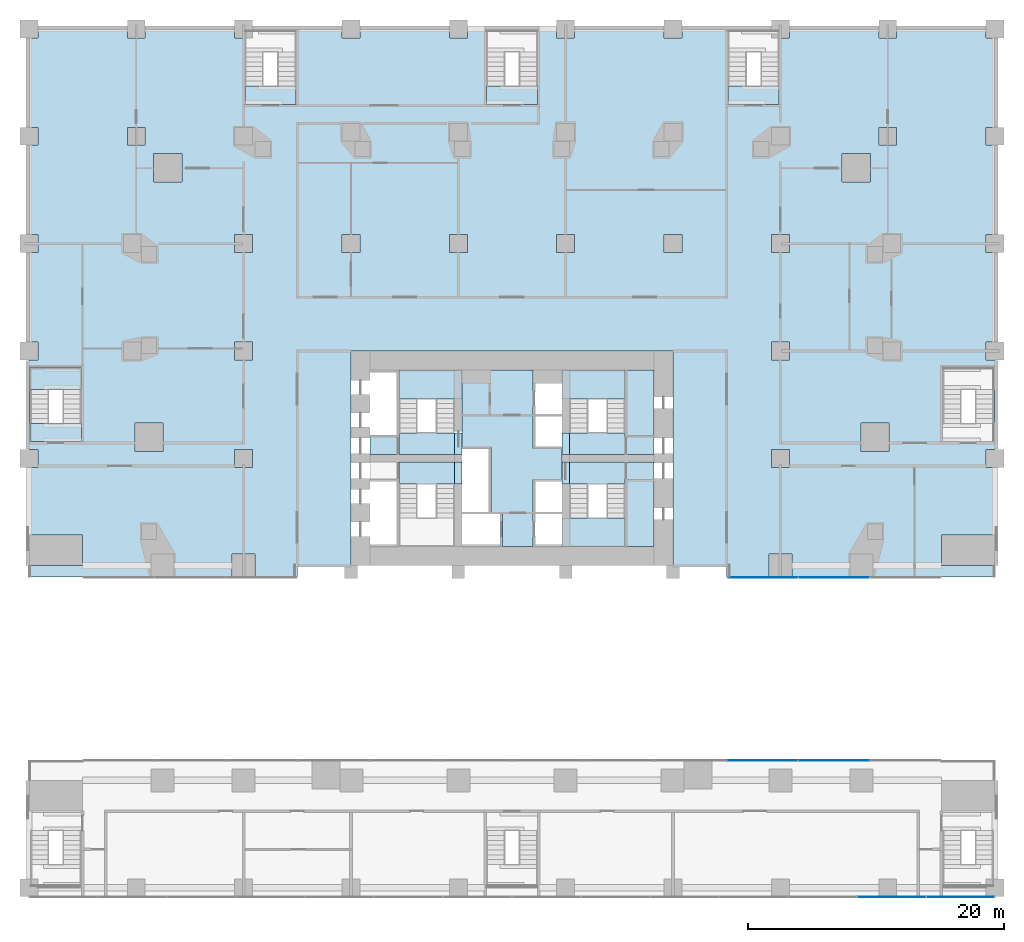
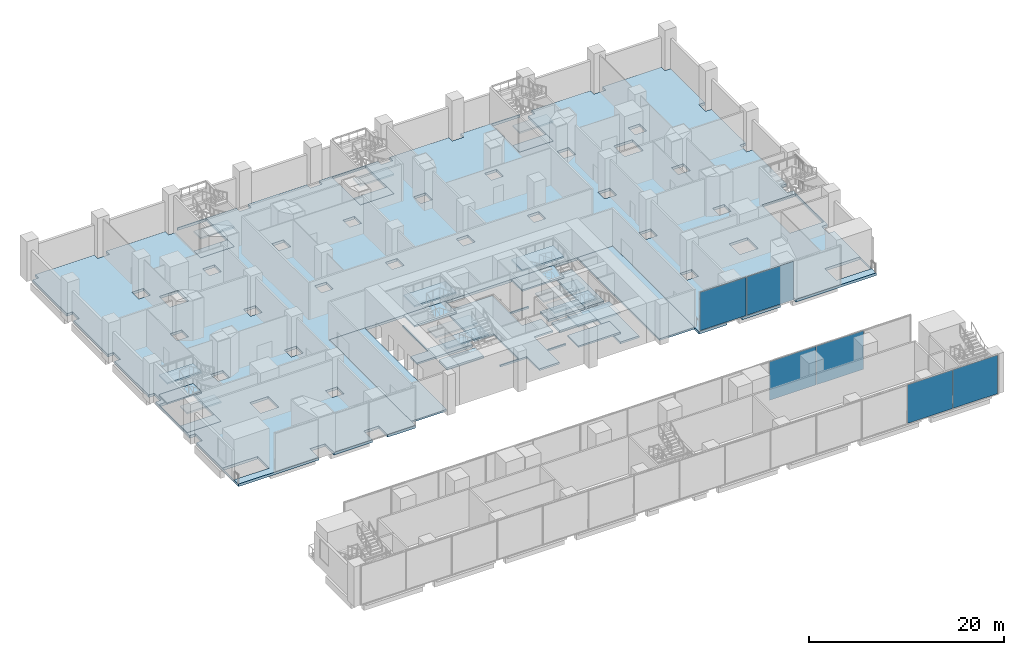
# One storey, part 9 of 24: 31 slabs, 6 plates, 11 elements without a shape of their own.
"""IFC4 building model written with IfcOpenShell, lengths in metres."""

from ifc_helpers import new_model, si_unit, direction, frame, origin, origin_2d, place, context, subcontext, project, spatial, polyline, rectangle, outline, extrude, material, layer, layer_set, type_object, element, aggregate, save


model = new_model("IFC4")

# Units and contexts
model_context = context("Model", 3, precision=1e-05, world=origin(), true_north=direction((0.0, 1.0)))
body_context = subcontext(model_context, "Body", "Model", "MODEL_VIEW")
ifc_project = project(units=[si_unit("LENGTHUNIT", "METRE"), si_unit("AREAUNIT", "SQUARE_METRE"), si_unit("VOLUMEUNIT", "CUBIC_METRE"), si_unit("PLANEANGLEUNIT", "RADIAN"), si_unit("MASSUNIT", "GRAM", prefix="KILO")], contexts=[model_context])

# Site, building, storey
site_placement = place(None, origin())
site = spatial("IfcSite", under=ifc_project, at=site_placement, CompositionType="ELEMENT")
building_placement = place(site_placement, origin())
building = spatial("IfcBuilding", under=site, at=building_placement, Name="Marenta Gate Hotel Tower", CompositionType="ELEMENT")
storey_placement = place(building_placement, frame((0.0, 0.0, 8.0)))
storey = spatial("IfcBuildingStorey", under=building, at=storey_placement, Name="L01", CompositionType="ELEMENT", Elevation=8.0)

# Slabs
ifc_material_1 = material(Name="Concrete C40", Category="concrete")
ifc_layer_1 = layer(ifc_material_1, 0.219970703125)
ifc_layer_set_1 = layer_set([ifc_layer_1], Name="Concrete C40")
slab_type_1 = type_object("IfcSlabType", Name="Core floor slab 220", PredefinedType="FLOOR", material=ifc_layer_set_1)
slab_1_placement = place(storey_placement, frame((0.0, 0.0, -0.219970703125)))
element("IfcSlab", 1, at=slab_1_placement, inside=storey, type_object=slab_type_1, Name="L01-CF-1", PredefinedType="FLOOR", context=body_context, shape_type="SweptSolid", body=[
    extrude(outline(polyline([(12.60009765625, 0.0), (12.60009765625, 16.800048828125), (16.800048828125, 16.800048828125), (16.800048828125, 0.0), (12.60009765625, 0.0)])), origin(), (0.0, 0.0, 1.0), 0.219970703125),
])
slab_2_placement = place(storey_placement, frame((0.0, 0.0, -0.219970703125)))
element("IfcSlab", 2, at=slab_2_placement, inside=storey, type_object=slab_type_1, Name="L01-CF-2", PredefinedType="FLOOR", context=body_context, shape_type="SweptSolid", body=[
    extrude(outline(polyline([(8.85009765625, 15.300048828125), (11.10009765625, 15.300048828125), (11.10009765625, 8.699951171875), (8.85009765625, 8.699951171875), (8.85009765625, 10.39990234375), (8.85009765625, 15.300048828125)])), origin(), (0.0, 0.0, 1.0), 0.219970703125),
])
slab_3_placement = place(storey_placement, frame((0.0, 0.0, -0.219970703125)))
element("IfcSlab", 3, at=slab_3_placement, inside=storey, type_object=slab_type_1, Name="L01-CF-3", PredefinedType="FLOOR", context=body_context, shape_type="SweptSolid", body=[
    extrude(outline(polyline([(11.10009765625, 8.10009765625), (11.10009765625, 1.5), (8.85009765625, 1.5), (8.85009765625, 6.39990234375), (8.85009765625, 8.10009765625), (11.10009765625, 8.10009765625)])), origin(), (0.0, 0.0, 1.0), 0.219970703125),
])
slab_4_placement = place(storey_placement, frame((0.0, 0.0, -0.219970703125)))
element("IfcSlab", 4, at=slab_4_placement, inside=storey, type_object=slab_type_1, Name="L01-CF-4", PredefinedType="FLOOR", context=body_context, shape_type="SweptSolid", body=[
    extrude(outline(polyline([(1.64990234375, 14.25), (1.64990234375, 11.85009765625), (1.800048828125, 11.85009765625), (3.89990234375, 11.85009765625), (3.89990234375, 11.699951171875), (1.800048828125, 11.699951171875), (1.64990234375, 11.699951171875), (1.64990234375, 9.300048828125), (1.64990234375, 9.14990234375), (3.89990234375, 9.14990234375), (3.89990234375, 9.300048828125), (3.89990234375, 10.39990234375), (3.89990234375, 10.39990234375), (3.89990234375, 6.39990234375), (3.89990234375, 6.39990234375), (3.89990234375, 6.60009765625), (3.89990234375, 6.75), (1.64990234375, 6.75), (1.64990234375, 6.60009765625), (1.64990234375, 4.199951171875), (1.800048828125, 4.199951171875), (3.89990234375, 4.199951171875), (3.89990234375, 4.050048828125), (1.800048828125, 4.050048828125), (1.64990234375, 4.050048828125), (1.64990234375, 1.64990234375), (1.64990234375, 1.5), (-0.75, 1.5), (-0.75, 4.050048828125), (-0.89990234375, 4.050048828125), (-3.89990234375, 4.050048828125), (-3.89990234375, 4.199951171875), (-1.800048828125, 4.199951171875), (-1.64990234375, 4.199951171875), (-1.64990234375, 9.14990234375), (-1.64990234375, 9.300048828125), (-3.89990234375, 9.300048828125), (-3.89990234375, 9.14990234375), (-3.89990234375, 6.75), (-3.89990234375, 6.60009765625), (-3.89990234375, 6.39990234375), (-3.89990234375, 6.39990234375), (-3.89990234375, 10.39990234375), (-3.89990234375, 10.39990234375), (-3.89990234375, 15.300048828125), (1.64990234375, 15.300048828125), (1.64990234375, 14.25)])), origin(), (0.0, 0.0, 1.0), 0.219970703125),
])
slab_5_placement = place(storey_placement, frame((0.0, 0.0, -0.219970703125)))
element("IfcSlab", 5, at=slab_5_placement, inside=storey, type_object=slab_type_1, Name="L01-CF-6", PredefinedType="FLOOR", context=body_context, shape_type="SweptSolid", body=[
    extrude(outline(polyline([(-8.85009765625, 10.39990234375), (-8.85009765625, 8.699951171875), (-11.10009765625, 8.699951171875), (-11.10009765625, 10.050048828125), (-9.0, 10.050048828125), (-9.0, 10.199951171875), (-9.0, 12.60009765625), (-9.0, 12.75), (-9.0, 15.14990234375), (-9.0, 15.300048828125), (-8.85009765625, 15.300048828125), (-8.85009765625, 10.39990234375)])), origin(), (0.0, 0.0, 1.0), 0.219970703125),
])
slab_6_placement = place(storey_placement, frame((0.0, 0.0, -0.219970703125)))
element("IfcSlab", 6, at=slab_6_placement, inside=storey, type_object=slab_type_1, Name="L01-CF-7", PredefinedType="FLOOR", context=body_context, shape_type="SweptSolid", body=[
    extrude(outline(polyline([(-12.60009765625, 16.800048828125), (-12.60009765625, 0.0), (-16.800048828125, 0.0), (-16.800048828125, 16.800048828125), (-12.60009765625, 16.800048828125)])), origin(), (0.0, 0.0, 1.0), 0.219970703125),
])

# Stair, slab
ifc_material_2 = material(Name="Concrete C40", Category="concrete")
stair_type_1 = type_object("IfcStairType", Name="Core exit stair 1430 wide", PredefinedType="HALF_TURN_STAIR", material=ifc_material_2)
stair_1_placement = place(storey_placement, origin())
stair_1 = element("IfcStair", 7, at=stair_1_placement, inside=storey, type_object=stair_type_1, Name="Exit stair 1", PredefinedType="HALF_TURN_STAIR")
ifc_material_3 = material(Name="Concrete C40", Category="concrete")
ifc_layer_2 = layer(ifc_material_3, 0.199951171875)
ifc_layer_set_2 = layer_set([ifc_layer_2], Name="Concrete C40")
slab_type_2 = type_object("IfcSlabType", Name="Core stair landing 200", PredefinedType="LANDING", material=ifc_layer_set_2)
slab_7_placement = place(storey_placement, frame((0.0, 0.0, 2.300048828125)))
slab_7 = element("IfcSlab", 8, at=slab_7_placement, type_object=slab_type_2, Name="SL-200 ST1 landing 2", PredefinedType="LANDING", context=body_context, shape_type="SweptSolid", body=[
    extrude(outline(polyline([(-8.85009765625, 6.39990234375), (-3.89990234375, 6.39990234375), (-3.89990234375, 8.10009765625), (-8.85009765625, 8.10009765625), (-8.85009765625, 6.39990234375)])), origin(), (0.0, 0.0, 1.0), 0.199951171875),
])
aggregate(stair_1, [slab_7])

# Stair, slabs
stair_2_placement = place(storey_placement, origin())
stair_2 = element("IfcStair", 9, at=stair_2_placement, inside=storey, type_object=stair_type_1, Name="Exit stair 2", PredefinedType="HALF_TURN_STAIR")
slab_8_placement = place(storey_placement, frame((0.0, 0.0, 1.050048828125)))
slab_8 = element("IfcSlab", 10, at=slab_8_placement, type_object=slab_type_2, Name="SL-200 ST2 landing 1", PredefinedType="LANDING", context=body_context, shape_type="SweptSolid", body=[
    extrude(outline(polyline([(-8.85009765625, 13.06005859375), (-3.89990234375, 13.06005859375), (-3.89990234375, 15.300048828125), (-8.85009765625, 15.300048828125), (-8.85009765625, 13.06005859375)])), origin(), (0.0, 0.0, 1.0), 0.199951171875),
])
slab_9_placement = place(storey_placement, frame((0.0, 0.0, 2.300048828125)))
slab_9 = element("IfcSlab", 11, at=slab_9_placement, type_object=slab_type_2, Name="SL-200 ST2 landing 2", PredefinedType="LANDING", context=body_context, shape_type="SweptSolid", body=[
    extrude(outline(polyline([(-8.85009765625, 8.699951171875), (-3.89990234375, 8.699951171875), (-3.89990234375, 10.39990234375), (-8.85009765625, 10.39990234375), (-8.85009765625, 8.699951171875)])), origin(), (0.0, 0.0, 1.0), 0.199951171875),
])
slab_10_placement = place(storey_placement, frame((0.0, 0.0, 3.550048828125)))
slab_10 = element("IfcSlab", 12, at=slab_10_placement, type_object=slab_type_2, Name="SL-200 ST2 landing 3", PredefinedType="LANDING", context=body_context, shape_type="SweptSolid", body=[
    extrude(outline(polyline([(-8.85009765625, 13.06005859375), (-3.89990234375, 13.06005859375), (-3.89990234375, 15.300048828125), (-8.85009765625, 15.300048828125), (-8.85009765625, 13.06005859375)])), origin(), (0.0, 0.0, 1.0), 0.199951171875),
])
aggregate(stair_2, [slab_8, slab_9, slab_10])

stair_3_placement = place(storey_placement, origin())
stair_3 = element("IfcStair", 13, at=stair_3_placement, inside=storey, type_object=stair_type_1, Name="Exit stair 3", PredefinedType="HALF_TURN_STAIR")
slab_11_placement = place(storey_placement, frame((0.0, 0.0, 1.050048828125)))
slab_11 = element("IfcSlab", 14, at=slab_11_placement, type_object=slab_type_2, Name="SL-200 ST3 landing 1", PredefinedType="LANDING", context=body_context, shape_type="SweptSolid", body=[
    extrude(outline(polyline([(3.89990234375, 1.5), (8.85009765625, 1.5), (8.85009765625, 3.739990234375), (3.89990234375, 3.739990234375), (3.89990234375, 1.5)])), origin(), (0.0, 0.0, 1.0), 0.199951171875),
])
slab_12_placement = place(storey_placement, frame((0.0, 0.0, 2.300048828125)))
slab_12 = element("IfcSlab", 15, at=slab_12_placement, type_object=slab_type_2, Name="SL-200 ST3 landing 2", PredefinedType="LANDING", context=body_context, shape_type="SweptSolid", body=[
    extrude(outline(polyline([(3.89990234375, 6.39990234375), (8.85009765625, 6.39990234375), (8.85009765625, 8.10009765625), (3.89990234375, 8.10009765625), (3.89990234375, 6.39990234375)])), origin(), (0.0, 0.0, 1.0), 0.199951171875),
])
slab_13_placement = place(storey_placement, frame((0.0, 0.0, 3.550048828125)))
slab_13 = element("IfcSlab", 16, at=slab_13_placement, type_object=slab_type_2, Name="SL-200 ST3 landing 3", PredefinedType="LANDING", context=body_context, shape_type="SweptSolid", body=[
    extrude(outline(polyline([(3.89990234375, 1.5), (8.85009765625, 1.5), (8.85009765625, 3.739990234375), (3.89990234375, 3.739990234375), (3.89990234375, 1.5)])), origin(), (0.0, 0.0, 1.0), 0.199951171875),
])
aggregate(stair_3, [slab_11, slab_12, slab_13])

stair_4_placement = place(storey_placement, origin())
stair_4 = element("IfcStair", 17, at=stair_4_placement, inside=storey, type_object=stair_type_1, Name="Exit stair 4", PredefinedType="HALF_TURN_STAIR")
slab_14_placement = place(storey_placement, frame((0.0, 0.0, 1.050048828125)))
slab_14 = element("IfcSlab", 18, at=slab_14_placement, type_object=slab_type_2, Name="SL-200 ST4 landing 1", PredefinedType="LANDING", context=body_context, shape_type="SweptSolid", body=[
    extrude(outline(polyline([(3.89990234375, 13.06005859375), (8.85009765625, 13.06005859375), (8.85009765625, 15.300048828125), (3.89990234375, 15.300048828125), (3.89990234375, 13.06005859375)])), origin(), (0.0, 0.0, 1.0), 0.199951171875),
])
slab_15_placement = place(storey_placement, frame((0.0, 0.0, 2.300048828125)))
slab_15 = element("IfcSlab", 19, at=slab_15_placement, type_object=slab_type_2, Name="SL-200 ST4 landing 2", PredefinedType="LANDING", context=body_context, shape_type="SweptSolid", body=[
    extrude(outline(polyline([(3.89990234375, 8.699951171875), (8.85009765625, 8.699951171875), (8.85009765625, 10.39990234375), (3.89990234375, 10.39990234375), (3.89990234375, 8.699951171875)])), origin(), (0.0, 0.0, 1.0), 0.199951171875),
])
slab_16_placement = place(storey_placement, frame((0.0, 0.0, 3.550048828125)))
slab_16 = element("IfcSlab", 20, at=slab_16_placement, type_object=slab_type_2, Name="SL-200 ST4 landing 3", PredefinedType="LANDING", context=body_context, shape_type="SweptSolid", body=[
    extrude(outline(polyline([(3.89990234375, 13.06005859375), (8.85009765625, 13.06005859375), (8.85009765625, 15.300048828125), (3.89990234375, 15.300048828125), (3.89990234375, 13.06005859375)])), origin(), (0.0, 0.0, 1.0), 0.199951171875),
])
aggregate(stair_4, [slab_14, slab_15, slab_16])

# Stair, slab
ifc_material_4 = material(Name="Concrete C40", Category="concrete")
stair_type_2 = type_object("IfcStairType", Name="Podium exit stair 1430 wide", PredefinedType="HALF_TURN_STAIR", material=ifc_material_4)
stair_5_placement = place(storey_placement, origin())
stair_5 = element("IfcStair", 21, at=stair_5_placement, inside=storey, type_object=stair_type_2, Name="Podium exit stair 3", PredefinedType="HALF_TURN_STAIR")
slab_17_placement = place(storey_placement, frame((0.0, 0.0, 2.300048828125)))
slab_17 = element("IfcSlab", 22, at=slab_17_placement, type_object=slab_type_2, Name="SL-200 PX3 landing 2", PredefinedType="LANDING", context=body_context, shape_type="SweptSolid", body=[
    extrude(outline(polyline([(-20.89990234375, 36.10009765625), (-16.89990234375, 36.10009765625), (-16.89990234375, 37.530029296875), (-20.89990234375, 37.530029296875), (-20.89990234375, 36.10009765625)])), origin(), (0.0, 0.0, 1.0), 0.199951171875),
])
aggregate(stair_5, [slab_17])

stair_6_placement = place(storey_placement, origin())
stair_6 = element("IfcStair", 23, at=stair_6_placement, inside=storey, type_object=stair_type_2, Name="Podium exit stair 4", PredefinedType="HALF_TURN_STAIR")
slab_18_placement = place(storey_placement, frame((0.0, 0.0, 2.300048828125)))
slab_18 = element("IfcSlab", 24, at=slab_18_placement, type_object=slab_type_2, Name="SL-200 PX4 landing 2", PredefinedType="LANDING", context=body_context, shape_type="SweptSolid", body=[
    extrude(outline(polyline([(16.89990234375, 36.10009765625), (20.89990234375, 36.10009765625), (20.89990234375, 37.530029296875), (16.89990234375, 37.530029296875), (16.89990234375, 36.10009765625)])), origin(), (0.0, 0.0, 1.0), 0.199951171875),
])
aggregate(stair_6, [slab_18])

# Stair, slabs
stair_7_placement = place(storey_placement, origin())
stair_7 = element("IfcStair", 25, at=stair_7_placement, inside=storey, type_object=stair_type_2, Name="Podium exit stair 6", PredefinedType="HALF_TURN_STAIR")
slab_19_placement = place(storey_placement, frame((0.0, 0.0, 1.050048828125)))
slab_19 = element("IfcSlab", 26, at=slab_19_placement, type_object=slab_type_2, Name="SL-200 PX6 landing 1", PredefinedType="LANDING", context=body_context, shape_type="SweptSolid", body=[
    extrude(outline(polyline([(-37.739990234375, 13.7900390625), (-33.699951171875, 13.7900390625), (-33.699951171875, 15.5), (-37.739990234375, 15.5), (-37.739990234375, 13.7900390625)])), origin(), (0.0, 0.0, 1.0), 0.199951171875),
])
slab_20_placement = place(storey_placement, frame((0.0, 0.0, 2.300048828125)))
slab_20 = element("IfcSlab", 27, at=slab_20_placement, type_object=slab_type_2, Name="SL-200 PX6 landing 2", PredefinedType="LANDING", context=body_context, shape_type="SweptSolid", body=[
    extrude(outline(polyline([(-37.739990234375, 9.699951171875), (-33.699951171875, 9.699951171875), (-33.699951171875, 11.1298828125), (-37.739990234375, 11.1298828125), (-37.739990234375, 9.699951171875)])), origin(), (0.0, 0.0, 1.0), 0.199951171875),
])
slab_21_placement = place(storey_placement, frame((0.0, 0.0, 3.550048828125)))
slab_21 = element("IfcSlab", 28, at=slab_21_placement, type_object=slab_type_2, Name="SL-200 PX6 landing 3", PredefinedType="LANDING", context=body_context, shape_type="SweptSolid", body=[
    extrude(outline(polyline([(-37.739990234375, 13.7900390625), (-33.699951171875, 13.7900390625), (-33.699951171875, 15.5), (-37.739990234375, 15.5), (-37.739990234375, 13.7900390625)])), origin(), (0.0, 0.0, 1.0), 0.199951171875),
])
aggregate(stair_7, [slab_19, slab_20, slab_21])

# Stair, slab
stair_8_placement = place(storey_placement, origin())
stair_8 = element("IfcStair", 29, at=stair_8_placement, inside=storey, type_object=stair_type_2, Name="Podium exit stair 8", PredefinedType="HALF_TURN_STAIR")
slab_22_placement = place(storey_placement, frame((0.0, 0.0, 2.300048828125)))
slab_22 = element("IfcSlab", 30, at=slab_22_placement, type_object=slab_type_2, Name="SL-200 PX8 landing 2", PredefinedType="LANDING", context=body_context, shape_type="SweptSolid", body=[
    extrude(outline(polyline([(-2.0, 36.10009765625), (2.0, 36.10009765625), (2.0, 37.530029296875), (-2.0, 37.530029296875), (-2.0, 36.10009765625)])), origin(), (0.0, 0.0, 1.0), 0.199951171875),
])
aggregate(stair_8, [slab_22])

# Curtain wall, plates
ifc_material_5 = material(Name="Tinted insulated glass in bronze anodised frame", Category="glass")
ifc_layer_3 = layer(ifc_material_5, 0.1298828125)
ifc_layer_set_3 = layer_set([ifc_layer_3], Name="Tinted insulated glass in bronze anodised frame")
curtain_wall_type_1 = type_object("IfcCurtainWallType", Name="Podium shopfront glazing CW5", PredefinedType="NOTDEFINED", material=ifc_layer_set_3)
curtain_wall_1_placement = place(storey_placement, origin())
curtain_wall_1 = element("IfcCurtainWall", 31, at=curtain_wall_1_placement, inside=storey, type_object=curtain_wall_type_1, Name="CW5 run SB-S000", PredefinedType="NOTDEFINED")
ifc_material_6 = material(Name="Tinted insulated glass", Category="glass")
ifc_layer_4 = layer(ifc_material_6, 0.033935546875)
ifc_layer_set_4 = layer_set([ifc_layer_4], Name="Tinted insulated glass")
plate_type_1 = type_object("IfcPlateType", Name="Glass panel CW5 34 mm tinted insulated unit", PredefinedType="CURTAIN_PANEL", material=ifc_layer_set_4)
plate_1_placement = place(storey_placement, frame((29.699951171875, -25.9189453125, 0.080078125), z_axis=(0.0, 0.0, 1.0), x_axis=(1.0, 0.0, 0.0)))
plate_1 = element("IfcPlate", 32, at=plate_1_placement, type_object=plate_type_1, Name="CW5 panel 13.1", PredefinedType="CURTAIN_PANEL", context=body_context, shape_type="SweptSolid", body=[
    extrude(rectangle(XDim=5.320068359375, YDim=0.033935546875, at=origin_2d()), origin(), (0.0, 0.0, 1.0), 4.840087890625),
])
plate_2_placement = place(storey_placement, frame((35.080078125, -25.9189453125, 0.080078125), z_axis=(0.0, 0.0, 1.0), x_axis=(1.0, 0.0, 0.0)))
plate_2 = element("IfcPlate", 33, at=plate_2_placement, type_object=plate_type_1, Name="CW5 panel 14.1", PredefinedType="CURTAIN_PANEL", context=body_context, shape_type="SweptSolid", body=[
    extrude(rectangle(XDim=5.280029296875, YDim=0.033935546875, at=origin_2d()), origin(), (0.0, 0.0, 1.0), 4.840087890625),
])
aggregate(curtain_wall_1, [plate_1, plate_2])

curtain_wall_2_placement = place(storey_placement, origin())
curtain_wall_2 = element("IfcCurtainWall", 34, at=curtain_wall_2_placement, inside=storey, type_object=curtain_wall_type_1, Name="CW5 run SB-N000", PredefinedType="NOTDEFINED")
plate_3_placement = place(storey_placement, frame((25.199951171875, -15.255859375, 0.080078125), z_axis=(0.0, 0.0, 1.0), x_axis=(-1.0, 0.0, 0.0)))
plate_3 = element("IfcPlate", 35, at=plate_3_placement, type_object=plate_type_1, Name="CW5 panel 2.1", PredefinedType="CURTAIN_PANEL", context=body_context, shape_type="SweptSolid", body=[
    extrude(rectangle(XDim=5.52001953125, YDim=0.033935546875, at=origin_2d()), origin(), (0.0, 0.0, 1.0), 4.840087890625),
])
plate_4_placement = place(storey_placement, frame((19.60009765625, -15.255859375, 0.080078125), z_axis=(0.0, 0.0, 1.0), x_axis=(-1.0, 0.0, 0.0)))
plate_4 = element("IfcPlate", 36, at=plate_4_placement, type_object=plate_type_1, Name="CW5 panel 3.1", PredefinedType="CURTAIN_PANEL", context=body_context, shape_type="SweptSolid", body=[
    extrude(rectangle(XDim=5.52001953125, YDim=0.033935546875, at=origin_2d()), origin(), (0.0, 0.0, 1.0), 4.840087890625),
])
aggregate(curtain_wall_2, [plate_3, plate_4])

ifc_material_7 = material(Name="Tinted insulated glass in bronze anodised frame", Category="glass")
ifc_layer_5 = layer(ifc_material_7, 0.139892578125)
ifc_layer_set_5 = layer_set([ifc_layer_5], Name="Tinted insulated glass in bronze anodised frame")
curtain_wall_type_2 = type_object("IfcCurtainWallType", Name="Hotel lobby glazing CW6", PredefinedType="NOTDEFINED", material=ifc_layer_set_5)
curtain_wall_3_placement = place(storey_placement, origin())
curtain_wall_3 = element("IfcCurtainWall", 37, at=curtain_wall_3_placement, inside=storey, type_object=curtain_wall_type_2, Name="CW6 run NB-S100", PredefinedType="NOTDEFINED")
ifc_material_8 = material(Name="Tinted insulated glass", Category="glass")
ifc_layer_6 = layer(ifc_material_8, 0.0439453125)
ifc_layer_set_6 = layer_set([ifc_layer_6], Name="Tinted insulated glass")
plate_type_2 = type_object("IfcPlateType", Name="Glass panel CW6 44 mm tinted insulated unit", PredefinedType="CURTAIN_PANEL", material=ifc_layer_set_6)
plate_5_placement = place(storey_placement, frame((19.625, -0.924072265625, 0.10009765625), z_axis=(0.0, 0.0, 1.0), x_axis=(1.0, 0.0, 0.0)))
plate_5 = element("IfcPlate", 38, at=plate_5_placement, type_object=plate_type_2, Name="CW6 panel 1.1", PredefinedType="CURTAIN_PANEL", context=body_context, shape_type="SweptSolid", body=[
    extrude(rectangle(XDim=5.449951171875, YDim=0.0439453125, at=origin_2d()), origin(), (0.0, 0.0, 1.0), 4.800048828125),
])
plate_6_placement = place(storey_placement, frame((25.199951171875, -0.924072265625, 0.10009765625), z_axis=(0.0, 0.0, 1.0), x_axis=(1.0, 0.0, 0.0)))
plate_6 = element("IfcPlate", 39, at=plate_6_placement, type_object=plate_type_2, Name="CW6 panel 2.1", PredefinedType="CURTAIN_PANEL", context=body_context, shape_type="SweptSolid", body=[
    extrude(rectangle(XDim=5.5, YDim=0.0439453125, at=origin_2d()), origin(), (0.0, 0.0, 1.0), 4.800048828125),
])
aggregate(curtain_wall_3, [plate_5, plate_6])

# Slabs
ifc_material_9 = material(Name="Concrete C40", Category="concrete")
ifc_layer_7 = layer(ifc_material_9, 0.320068359375)
ifc_layer_set_7 = layer_set([ifc_layer_7], Name="Concrete C40")
slab_type_3 = type_object("IfcSlabType", Name="Podium flat slab 320 C40", PredefinedType="FLOOR", material=ifc_layer_set_7)
slab_23_placement = place(storey_placement, frame((0.0, 0.0, -0.320068359375)))
element("IfcSlab", 40, at=slab_23_placement, inside=storey, type_object=slab_type_3, Name="PS1 L01-PSL-1", PredefinedType="FLOOR", context=body_context, shape_type="SweptSolid", body=[
    extrude(outline(polyline([(-37.800048828125, 7.699951171875), (-37.800048828125, 0.0), (-37.800048828125, -0.89990234375), (-28.262939453125, -0.89990234375), (-28.262939453125, 0.89990234375), (-26.462890625, 0.89990234375), (-26.462890625, -0.89990234375), (-21.89990234375, -0.89990234375), (-21.89990234375, 0.89990234375), (-20.10009765625, 0.89990234375), (-20.10009765625, -0.89990234375), (-16.800048828125, -0.89990234375), (-16.800048828125, 0.0), (-16.800048828125, 16.800048828125), (16.800048828125, 16.800048828125), (16.800048828125, 0.0), (16.800048828125, -0.89990234375), (20.10009765625, -0.89990234375), (20.10009765625, 0.89990234375), (21.89990234375, 0.89990234375), (21.89990234375, -0.89990234375), (26.462890625, -0.89990234375), (26.462890625, 0.89990234375), (28.262939453125, 0.89990234375), (28.262939453125, -0.89990234375), (37.800048828125, -0.89990234375), (37.800048828125, 0.0), (37.800048828125, 7.699951171875), (37.10009765625, 7.699951171875), (37.10009765625, 9.10009765625), (37.800048828125, 9.10009765625), (37.800048828125, 16.10009765625), (37.10009765625, 16.10009765625), (37.10009765625, 17.5), (37.800048828125, 17.5), (37.800048828125, 24.5), (37.10009765625, 24.5), (37.10009765625, 25.89990234375), (37.800048828125, 25.89990234375), (37.800048828125, 32.89990234375), (37.10009765625, 32.89990234375), (37.10009765625, 34.300048828125), (37.800048828125, 34.300048828125), (37.800048828125, 41.300048828125), (37.10009765625, 41.300048828125), (37.10009765625, 42.0), (30.10009765625, 42.0), (30.10009765625, 41.300048828125), (28.699951171875, 41.300048828125), (28.699951171875, 42.0), (21.699951171875, 42.0), (21.699951171875, 41.300048828125), (20.89990234375, 41.300048828125), (20.89990234375, 36.10009765625), (16.89990234375, 36.10009765625), (16.89990234375, 41.89990234375), (20.300048828125, 41.89990234375), (20.300048828125, 42.0), (13.300048828125, 42.0), (13.300048828125, 41.300048828125), (11.89990234375, 41.300048828125), (11.89990234375, 42.0), (4.89990234375, 42.0), (4.89990234375, 41.300048828125), (3.5, 41.300048828125), (3.5, 42.0), (-3.5, 42.0), (-3.5, 41.300048828125), (-4.89990234375, 41.300048828125), (-4.89990234375, 42.0), (-11.89990234375, 42.0), (-11.89990234375, 41.300048828125), (-13.300048828125, 41.300048828125), (-13.300048828125, 42.0), (-20.300048828125, 42.0), (-20.300048828125, 41.89990234375), (-16.89990234375, 41.89990234375), (-16.89990234375, 36.10009765625), (-20.89990234375, 36.10009765625), (-20.89990234375, 41.300048828125), (-21.699951171875, 41.300048828125), (-21.699951171875, 42.0), (-28.699951171875, 42.0), (-28.699951171875, 41.300048828125), (-30.10009765625, 41.300048828125), (-30.10009765625, 42.0), (-37.10009765625, 42.0), (-37.10009765625, 41.300048828125), (-37.800048828125, 41.300048828125), (-37.800048828125, 34.300048828125), (-37.10009765625, 34.300048828125), (-37.10009765625, 32.89990234375), (-37.800048828125, 32.89990234375), (-37.800048828125, 25.89990234375), (-37.10009765625, 25.89990234375), (-37.10009765625, 24.5), (-37.800048828125, 24.5), (-37.800048828125, 17.5), (-37.10009765625, 17.5), (-37.10009765625, 16.10009765625), (-37.800048828125, 16.10009765625), (-37.800048828125, 9.10009765625), (-37.10009765625, 9.10009765625), (-37.10009765625, 7.699951171875), (-37.800048828125, 7.699951171875)]), holes=[polyline([(33.60009765625, 0.0), (33.60009765625, 2.39990234375), (37.7900390625, 2.39990234375), (37.7900390625, 0.0), (33.60009765625, 0.0)]), polyline([(33.699951171875, 9.699951171875), (33.699951171875, 15.5), (37.699951171875, 15.5), (37.699951171875, 9.699951171875), (33.699951171875, 9.699951171875)]), polyline([(29.02001953125, 24.5), (29.02001953125, 25.89990234375), (30.419921875, 25.89990234375), (30.419921875, 24.5), (29.02001953125, 24.5)]), polyline([(29.02001953125, 16.10009765625), (29.02001953125, 17.5), (30.419921875, 17.5), (30.419921875, 16.10009765625), (29.02001953125, 16.10009765625)]), polyline([(28.699951171875, 34.300048828125), (30.10009765625, 34.300048828125), (30.10009765625, 32.89990234375), (28.699951171875, 32.89990234375), (28.699951171875, 34.300048828125)]), polyline([(27.300048828125, 8.949951171875), (27.300048828125, 11.14990234375), (29.5, 11.14990234375), (29.5, 8.949951171875), (27.300048828125, 8.949951171875)]), polyline([(25.83544921875, 32.235595703125), (28.035400390625, 32.235595703125), (28.035400390625, 30.035400390625), (25.83544921875, 30.035400390625), (25.83544921875, 32.235595703125)]), polyline([(20.300048828125, 9.10009765625), (21.699951171875, 9.10009765625), (21.699951171875, 7.699951171875), (20.300048828125, 7.699951171875), (20.300048828125, 9.10009765625)]), polyline([(20.300048828125, 32.89990234375), (20.300048828125, 34.300048828125), (21.699951171875, 34.300048828125), (21.699951171875, 32.89990234375), (20.300048828125, 32.89990234375)]), polyline([(20.300048828125, 24.5), (20.300048828125, 25.89990234375), (21.699951171875, 25.89990234375), (21.699951171875, 24.5), (20.300048828125, 24.5)]), polyline([(20.300048828125, 17.5), (21.699951171875, 17.5), (21.699951171875, 16.10009765625), (20.300048828125, 16.10009765625), (20.300048828125, 17.5)]), polyline([(11.89990234375, 33.219970703125), (11.89990234375, 34.6201171875), (13.300048828125, 34.6201171875), (13.300048828125, 33.219970703125), (11.89990234375, 33.219970703125)]), polyline([(11.89990234375, 24.5), (11.89990234375, 25.89990234375), (13.300048828125, 25.89990234375), (13.300048828125, 24.5), (11.89990234375, 24.5)]), polyline([(3.5, 34.6201171875), (4.89990234375, 34.6201171875), (4.89990234375, 33.219970703125), (3.5, 33.219970703125), (3.5, 34.6201171875)]), polyline([(3.5, 24.5), (3.5, 25.89990234375), (4.89990234375, 25.89990234375), (4.89990234375, 24.5), (3.5, 24.5)]), polyline([(-2.0, 36.10009765625), (-2.0, 41.89990234375), (2.0, 41.89990234375), (2.0, 36.10009765625), (-2.0, 36.10009765625)]), polyline([(-4.89990234375, 34.6201171875), (-3.5, 34.6201171875), (-3.5, 33.219970703125), (-4.89990234375, 33.219970703125), (-4.89990234375, 34.6201171875)]), polyline([(-4.89990234375, 25.89990234375), (-3.5, 25.89990234375), (-3.5, 24.5), (-4.89990234375, 24.5), (-4.89990234375, 25.89990234375)]), polyline([(-13.300048828125, 33.219970703125), (-13.300048828125, 34.6201171875), (-11.89990234375, 34.6201171875), (-11.89990234375, 33.219970703125), (-13.300048828125, 33.219970703125)]), polyline([(-13.300048828125, 24.5), (-13.300048828125, 25.89990234375), (-11.89990234375, 25.89990234375), (-11.89990234375, 24.5), (-13.300048828125, 24.5)]), polyline([(-21.699951171875, 7.699951171875), (-21.699951171875, 9.10009765625), (-20.300048828125, 9.10009765625), (-20.300048828125, 7.699951171875), (-21.699951171875, 7.699951171875)]), polyline([(-21.699951171875, 32.89990234375), (-21.699951171875, 34.300048828125), (-20.300048828125, 34.300048828125), (-20.300048828125, 32.89990234375), (-21.699951171875, 32.89990234375)]), polyline([(-21.699951171875, 25.89990234375), (-20.300048828125, 25.89990234375), (-20.300048828125, 24.5), (-21.699951171875, 24.5), (-21.699951171875, 25.89990234375)]), polyline([(-21.699951171875, 16.10009765625), (-21.699951171875, 17.5), (-20.300048828125, 17.5), (-20.300048828125, 16.10009765625), (-21.699951171875, 16.10009765625)]), polyline([(-28.035400390625, 30.035400390625), (-28.035400390625, 32.235595703125), (-25.83544921875, 32.235595703125), (-25.83544921875, 30.035400390625), (-28.035400390625, 30.035400390625)]), polyline([(-29.5, 8.949951171875), (-29.5, 11.14990234375), (-27.300048828125, 11.14990234375), (-27.300048828125, 8.949951171875), (-29.5, 8.949951171875)]), polyline([(-30.10009765625, 32.89990234375), (-30.10009765625, 34.300048828125), (-28.699951171875, 34.300048828125), (-28.699951171875, 32.89990234375), (-30.10009765625, 32.89990234375)]), polyline([(-30.419921875, 25.89990234375), (-29.02001953125, 25.89990234375), (-29.02001953125, 24.5), (-30.419921875, 24.5), (-30.419921875, 25.89990234375)]), polyline([(-30.419921875, 16.10009765625), (-30.419921875, 17.5), (-29.02001953125, 17.5), (-29.02001953125, 16.10009765625), (-30.419921875, 16.10009765625)]), polyline([(-37.7900390625, 2.39990234375), (-33.60009765625, 2.39990234375), (-33.60009765625, 0.0), (-37.7900390625, 0.0), (-37.7900390625, 2.39990234375)]), polyline([(-37.699951171875, 15.5), (-33.699951171875, 15.5), (-33.699951171875, 9.699951171875), (-37.699951171875, 9.699951171875), (-37.699951171875, 15.5)])]), origin(), (0.0, 0.0, 1.0), 0.320068359375),
])
ifc_material_10 = material(Name="Concrete C40", Category="concrete")
ifc_layer_8 = layer(ifc_material_10, 0.300048828125)
ifc_layer_set_8 = layer_set([ifc_layer_8], Name="Concrete C40")
slab_type_4 = type_object("IfcSlabType", Name="Stair floor landing slab 300", PredefinedType="FLOOR", material=ifc_layer_set_8)
slab_24_placement = place(storey_placement, frame((0.0, 0.0, -0.300048828125)))
element("IfcSlab", 41, at=slab_24_placement, inside=storey, type_object=slab_type_4, Name="L01-CL-ST1-1", PredefinedType="FLOOR", context=body_context, shape_type="SweptSolid", body=[
    extrude(outline(polyline([(-4.5, 6.39990234375), (-8.85009765625, 6.39990234375), (-8.85009765625, 8.10009765625), (-4.5, 8.10009765625), (-4.5, 6.39990234375)])), origin(), (0.0, 0.0, 1.0), 0.300048828125),
])
slab_25_placement = place(storey_placement, frame((0.0, 0.0, -0.300048828125)))
element("IfcSlab", 42, at=slab_25_placement, inside=storey, type_object=slab_type_4, Name="L01-CL-ST2-1", PredefinedType="FLOOR", context=body_context, shape_type="SweptSolid", body=[
    extrude(outline(polyline([(-4.5, 8.699951171875), (-8.85009765625, 8.699951171875), (-8.85009765625, 10.39990234375), (-4.5, 10.39990234375), (-4.5, 8.699951171875)])), origin(), (0.0, 0.0, 1.0), 0.300048828125),
])
slab_26_placement = place(storey_placement, frame((0.0, 0.0, -0.300048828125)))
element("IfcSlab", 43, at=slab_26_placement, inside=storey, type_object=slab_type_4, Name="L01-CL-ST3-1", PredefinedType="FLOOR", context=body_context, shape_type="SweptSolid", body=[
    extrude(outline(polyline([(4.5, 6.39990234375), (4.5, 8.10009765625), (8.85009765625, 8.10009765625), (8.85009765625, 6.39990234375), (4.5, 6.39990234375)])), origin(), (0.0, 0.0, 1.0), 0.300048828125),
])
slab_27_placement = place(storey_placement, frame((0.0, 0.0, -0.300048828125)))
element("IfcSlab", 44, at=slab_27_placement, inside=storey, type_object=slab_type_4, Name="L01-CL-ST4-1", PredefinedType="FLOOR", context=body_context, shape_type="SweptSolid", body=[
    extrude(outline(polyline([(4.5, 8.699951171875), (4.5, 10.39990234375), (8.85009765625, 10.39990234375), (8.85009765625, 8.699951171875), (4.5, 8.699951171875)])), origin(), (0.0, 0.0, 1.0), 0.300048828125),
])
slab_28_placement = place(storey_placement, frame((0.0, 0.0, -0.300048828125)))
element("IfcSlab", 45, at=slab_28_placement, inside=storey, type_object=slab_type_4, Name="L01-CL-PX3-1", PredefinedType="FLOOR", context=body_context, shape_type="SweptSolid", body=[
    extrude(outline(polyline([(-16.89990234375, 36.10009765625), (-20.89990234375, 36.10009765625), (-20.89990234375, 37.530029296875), (-16.89990234375, 37.530029296875), (-16.89990234375, 36.10009765625)])), origin(), (0.0, 0.0, 1.0), 0.300048828125),
])
slab_29_placement = place(storey_placement, frame((0.0, 0.0, -0.300048828125)))
element("IfcSlab", 46, at=slab_29_placement, inside=storey, type_object=slab_type_4, Name="L01-CL-PX4-1", PredefinedType="FLOOR", context=body_context, shape_type="SweptSolid", body=[
    extrude(outline(polyline([(20.89990234375, 36.10009765625), (16.89990234375, 36.10009765625), (16.89990234375, 37.530029296875), (20.89990234375, 37.530029296875), (20.89990234375, 36.10009765625)])), origin(), (0.0, 0.0, 1.0), 0.300048828125),
])
slab_30_placement = place(storey_placement, frame((0.0, 0.0, -0.300048828125)))
element("IfcSlab", 47, at=slab_30_placement, inside=storey, type_object=slab_type_4, Name="L01-CL-PX6-1", PredefinedType="FLOOR", context=body_context, shape_type="SweptSolid", body=[
    extrude(outline(polyline([(-33.699951171875, 9.699951171875), (-37.699951171875, 9.699951171875), (-37.699951171875, 11.1298828125), (-33.699951171875, 11.1298828125), (-33.699951171875, 9.699951171875)])), origin(), (0.0, 0.0, 1.0), 0.300048828125),
])
slab_31_placement = place(storey_placement, frame((0.0, 0.0, -0.300048828125)))
element("IfcSlab", 48, at=slab_31_placement, inside=storey, type_object=slab_type_4, Name="L01-CL-PX8-1", PredefinedType="FLOOR", context=body_context, shape_type="SweptSolid", body=[
    extrude(outline(polyline([(2.0, 36.10009765625), (-2.0, 36.10009765625), (-2.0, 37.530029296875), (2.0, 37.530029296875), (2.0, 36.10009765625)])), origin(), (0.0, 0.0, 1.0), 0.300048828125),
])

save(model, "model.ifc")
